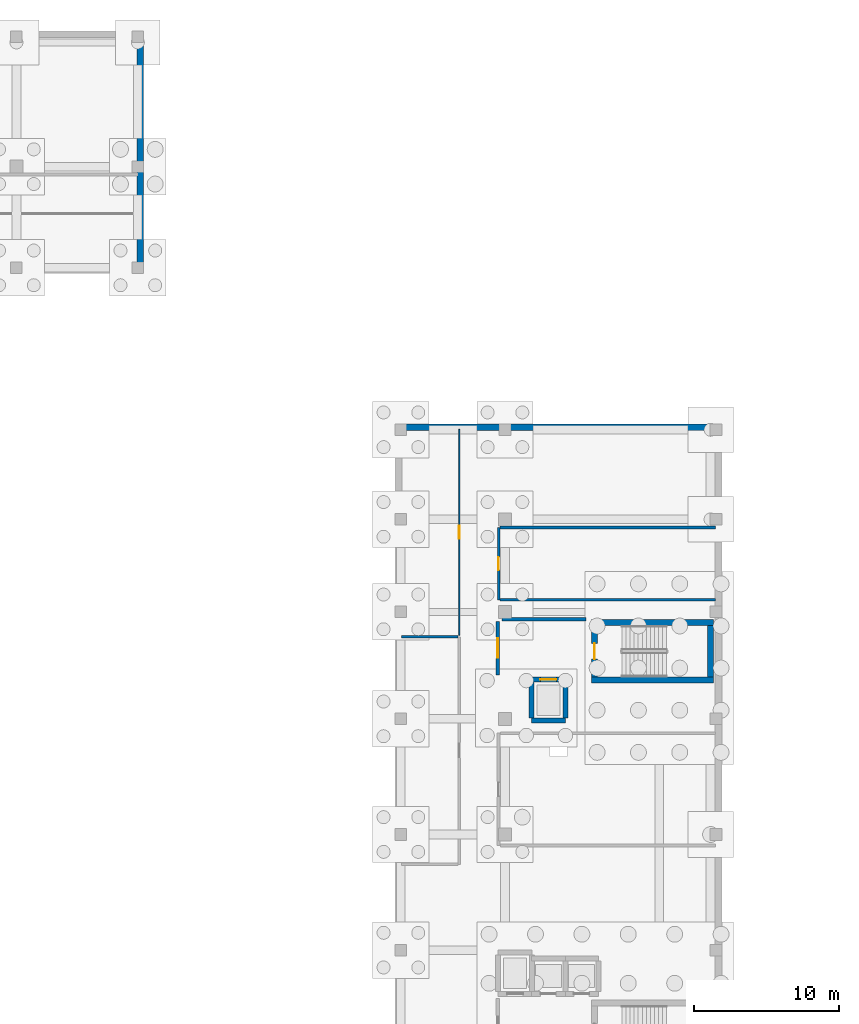
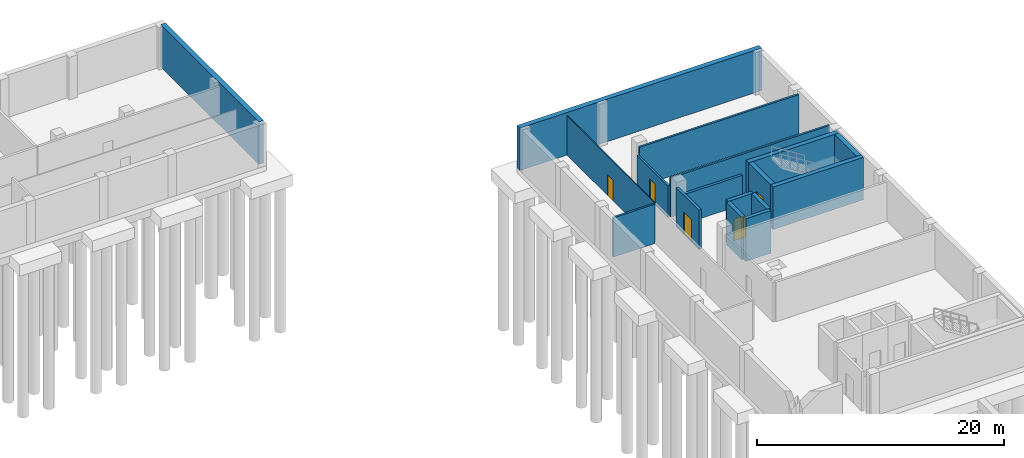
# One storey, part 22 of 31: 17 walls, 5 doors, 5 openings.
"""IFC4 building model written with IfcOpenShell, lengths in metres."""

from ifc_helpers import new_model, si_unit, direction, frame, frame_2d, origin, place, context, subcontext, project, spatial, rectangle, extrude, material, layer, layer_set, type_object, element, fill, save


model = new_model("IFC4")

# Units and contexts
model_context = context("Model", 3, precision=1e-05, world=origin(), true_north=direction((0.0, 1.0)))
body_context = subcontext(model_context, "Body", "Model", "MODEL_VIEW")
ifc_project = project(units=[si_unit("LENGTHUNIT", "METRE"), si_unit("AREAUNIT", "SQUARE_METRE"), si_unit("VOLUMEUNIT", "CUBIC_METRE"), si_unit("PLANEANGLEUNIT", "RADIAN"), si_unit("MASSUNIT", "GRAM", prefix="KILO")], contexts=[model_context])

# Site, building, storey
site_placement = place(None, origin())
site = spatial("IfcSite", under=ifc_project, at=site_placement, CompositionType="ELEMENT")
building_placement = place(site_placement, origin())
building = spatial("IfcBuilding", under=site, at=building_placement, Name="Qalavern Law Courts", CompositionType="ELEMENT")
storey_placement = place(building_placement, frame((0.0, 0.0, -8.39990234375)))
storey = spatial("IfcBuildingStorey", under=building, at=storey_placement, Name="B2", CompositionType="ELEMENT", Elevation=-8.39990234375)

# Walls
ifc_material_1 = material(Name="Concrete C35/45", Category="concrete")
ifc_layer_1 = layer(ifc_material_1, 0.4599609375)
ifc_layer_set_1 = layer_set([ifc_layer_1], Name="Concrete C35/45")
wall_type_1 = type_object("IfcWallType", Name="ENV-EW-RET460", PredefinedType="SOLIDWALL", material=ifc_layer_set_1)
wall_1_placement = place(storey_placement, frame((106.800048828125, 85.570068359375, 0.0), z_axis=(0.0, 0.0, 1.0), x_axis=(-1.0, 0.0, 0.0)))
element("IfcWall", 1, at=wall_1_placement, inside=storey, type_object=wall_type_1, Name="V4 basement retaining wall B2 north", PredefinedType="SOLIDWALL", context=body_context, shape_type="SweptSolid", body=[
    extrude(rectangle(XDim=22.60009765625, YDim=0.4599609375, at=frame_2d((11.300048828125, 0.0))), origin(), (0.0, 0.0, 1.0), 4.199951171875),
])
wall_2_placement = place(storey_placement, frame((66.570068359375, 96.655029296875, 0.0), z_axis=(0.0, 0.0, 1.0), x_axis=(0.0, 1.0, 0.0)))
element("IfcWall", 2, at=wall_2_placement, inside=storey, type_object=wall_type_1, Name="V5 basement retaining wall B2 east", PredefinedType="SOLIDWALL", context=body_context, shape_type="SweptSolid", body=[
    extrude(rectangle(XDim=15.889892578125, YDim=0.4599609375, at=frame_2d((7.94482421875, 0.0))), origin(), (0.0, 0.0, 1.0), 4.199951171875),
])
ifc_material_2 = material(Name="Concrete C45/55", Category="concrete")
ifc_layer_2 = layer(ifc_material_2, 0.4150390625)
ifc_layer_set_2 = layer_set([ifc_layer_2], Name="Concrete C45/55")
wall_type_2 = type_object("IfcWallType", Name="INT-CW-415", PredefinedType="SHEAR", material=ifc_layer_set_2)
wall_3_placement = place(storey_placement, frame((97.784912109375, 68.092529296875, 0.0), z_axis=(0.0, 0.0, 1.0), x_axis=(1.0, 0.0, 0.0)))
element("IfcWall", 3, at=wall_3_placement, inside=storey, type_object=wall_type_2, Name="Core K1B stair shear wall B2 south", PredefinedType="SHEAR", context=body_context, shape_type="SweptSolid", body=[
    extrude(rectangle(XDim=8.43017578125, YDim=0.4150390625, at=frame_2d((4.215087890625, 0.0))), origin(), (0.0, 0.0, 1.0), 4.199951171875),
])
wall_4_placement = place(storey_placement, frame((106.007568359375, 68.300048828125, 0.0), z_axis=(0.0, 0.0, 1.0), x_axis=(0.0, 1.0, 0.0)))
element("IfcWall", 4, at=wall_4_placement, inside=storey, type_object=wall_type_2, Name="Core K1B stair shear wall B2 east", PredefinedType="SHEAR", context=body_context, shape_type="SweptSolid", body=[
    extrude(rectangle(XDim=3.550048828125, YDim=0.4150390625, at=frame_2d((1.77490234375, 0.0))), origin(), (0.0, 0.0, 1.0), 4.199951171875),
])
wall_5_placement = place(storey_placement, frame((106.215087890625, 72.0576171875, 0.0), z_axis=(0.0, 0.0, 1.0), x_axis=(-1.0, 0.0, 0.0)))
element("IfcWall", 5, at=wall_5_placement, inside=storey, type_object=wall_type_2, Name="Core K1B stair shear wall B2 north", PredefinedType="SHEAR", context=body_context, shape_type="SweptSolid", body=[
    extrude(rectangle(XDim=8.43017578125, YDim=0.4150390625, at=frame_2d((4.215087890625, 0.0))), origin(), (0.0, 0.0, 1.0), 4.199951171875),
])

# Wall, opening, door
wall_6_placement = place(storey_placement, frame((97.992431640625, 71.85009765625, 0.0), z_axis=(0.0, 0.0, 1.0), x_axis=(0.0, -1.0, 0.0)))
wall_6 = element("IfcWall", 6, at=wall_6_placement, inside=storey, type_object=wall_type_2, Name="Core K1B stair shear wall B2 west", PredefinedType="SHEAR", context=body_context, shape_type="SweptSolid", body=[
    extrude(rectangle(XDim=3.550048828125, YDim=0.4150390625, at=frame_2d((1.77490234375, 0.0))), origin(), (0.0, 0.0, 1.0), 4.199951171875),
])
opening_1_placement = place(wall_6_placement, frame((1.22509765625, 0.0, 0.0)))
opening_1 = element("IfcOpeningElement", 7, at=opening_1_placement, cuts=wall_6, Name="Opening B2-D025", PredefinedType="OPENING", context=body_context, shape_type="SweptSolid", body=[
    extrude(rectangle(XDim=1.10009765625, YDim=2.14990234375, at=frame_2d((0.550048828125, 1.074951171875))), frame((0.0, 0.222412109375, 0.0), z_axis=(0.0, -1.0, 0.0), x_axis=(1.0, 0.0, 0.0)), (0.0, 0.0, 1.0), 0.44482421875),
])
ifc_material_3 = material(Name="Steel fire-rated stair enclosure door", Category="steel")
door_type_1 = type_object("IfcDoorType", Name="INT-FD-1100x2150", OperationType="NOTDEFINED", PredefinedType="DOOR", material=ifc_material_3)
door_1_placement = place(opening_1_placement, frame((1.10009765625, 0.0, 0.0), z_axis=(0.0, 0.0, 1.0), x_axis=(-1.0, 0.0, 0.0)))
door_1 = element("IfcDoor", 8, at=door_1_placement, inside=storey, type_object=door_type_1, Name="Stair K1B fire door B2", OperationType="SINGLE_SWING_LEFT", OverallHeight=2.14990234375, OverallWidth=1.10009765625, PredefinedType="DOOR", context=body_context, shape_type="SweptSolid", body=[
    extrude(rectangle(XDim=1.10009765625, YDim=2.14990234375, at=frame_2d((0.550048828125, 1.074951171875))), frame((0.0, 0.02490234375, 0.0), z_axis=(0.0, -1.0, 0.0), x_axis=(1.0, 0.0, 0.0)), (0.0, 0.0, 1.0), 0.050048828125),
])
fill(opening_1, door_1)

ifc_material_4 = material(Name="Concrete C40/50", Category="concrete")
ifc_layer_3 = layer(ifc_material_4, 0.2451171875)
ifc_layer_set_3 = layer_set([ifc_layer_3], Name="Concrete C40/50")
wall_type_3 = type_object("IfcWallType", Name="INT-FW-245", PredefinedType="PARTITIONING", material=ifc_layer_set_3)
wall_7_placement = place(storey_placement, frame((91.300048828125, 68.449951171875, 0.0), z_axis=(0.0, 0.0, 1.0), x_axis=(0.0, 1.0, 0.0)))
wall_7 = element("IfcWall", 9, at=wall_7_placement, inside=storey, type_object=wall_type_3, Name="Core K1B firefighting/stair lobby fire wall B2", PredefinedType="PARTITIONING", context=body_context, shape_type="SweptSolid", body=[
    extrude(rectangle(XDim=3.699951171875, YDim=0.2451171875, at=frame_2d((1.85009765625, 0.0))), origin(), (0.0, 0.0, 1.0), 3.8798828125),
])
opening_2_placement = place(wall_7_placement, frame((1.175048828125, 0.0, 0.0)))
opening_2 = element("IfcOpeningElement", 10, at=opening_2_placement, cuts=wall_7, Name="Opening B2-D026", PredefinedType="OPENING", context=body_context, shape_type="SweptSolid", body=[
    extrude(rectangle(XDim=1.35009765625, YDim=2.199951171875, at=frame_2d((0.675048828125, 1.10009765625))), frame((0.0, 0.137451171875, 0.0), z_axis=(0.0, -1.0, 0.0), x_axis=(1.0, 0.0, 0.0)), (0.0, 0.0, 1.0), 0.27490234375),
])
ifc_material_5 = material(Name="Steel fire-rated frame and acoustic timber leaves", Category="steel")
door_type_2 = type_object("IfcDoorType", Name="INT-FD-1350x2200", OperationType="DOUBLE_DOOR_SINGLE_SWING", PredefinedType="DOOR", material=ifc_material_5)
door_2_placement = place(opening_2_placement, origin())
door_2 = element("IfcDoor", 11, at=door_2_placement, inside=storey, type_object=door_type_2, Name="Core K1B lobby fire door B2", OperationType="DOUBLE_DOOR_SINGLE_SWING", OverallHeight=2.199951171875, OverallWidth=1.35009765625, PredefinedType="DOOR", context=body_context, shape_type="SweptSolid", body=[
    extrude(rectangle(XDim=1.35009765625, YDim=2.199951171875, at=frame_2d((0.675048828125, 1.10009765625))), frame((0.0, 0.02490234375, 0.0), z_axis=(0.0, -1.0, 0.0), x_axis=(1.0, 0.0, 0.0)), (0.0, 0.0, 1.0), 0.050048828125),
])
fill(opening_2, door_2)

# Wall
wall_8_placement = place(storey_placement, frame((91.60009765625, 72.300048828125, 0.0), z_axis=(0.0, 0.0, 1.0), x_axis=(1.0, 0.0, 0.0)))
element("IfcWall", 12, at=wall_8_placement, inside=storey, type_object=wall_type_3, Name="Core K1B lobby return wall B2 north", PredefinedType="PARTITIONING", context=body_context, shape_type="SweptSolid", body=[
    extrude(rectangle(XDim=5.7998046875, YDim=0.2451171875, at=frame_2d((2.89990234375, 0.0))), origin(), (0.0, 0.0, 1.0), 2.909912109375),
])

# Wall, opening, door
ifc_material_6 = material(Name="Gypsum shaft/chase partition")
ifc_layer_4 = layer(ifc_material_6, 0.092041015625)
ifc_layer_set_4 = layer_set([ifc_layer_4], Name="Gypsum shaft/chase partition")
wall_type_4 = type_object("IfcWallType", Name="INT-PW-092", PredefinedType="PARTITIONING", material=ifc_layer_set_4)
wall_9_placement = place(storey_placement, frame((88.639892578125, 71.198974609375, 0.0), z_axis=(0.0, 0.0, 1.0), x_axis=(0.0, 1.0, 0.0)))
wall_9 = element("IfcWall", 13, at=wall_9_placement, inside=storey, type_object=wall_type_4, Name="Electrical Switchroom corridor partition B2", PredefinedType="PARTITIONING", context=body_context, shape_type="SweptSolid", body=[
    extrude(rectangle(XDim=14.220947265625, YDim=0.092041015625, at=frame_2d((7.1103515625, 0.0))), origin(), (0.0, 0.0, 1.0), 3.8798828125),
])
opening_3_placement = place(wall_9_placement, frame((6.655517578125, 0.0, 0.0)))
opening_3 = element("IfcOpeningElement", 14, at=opening_3_placement, cuts=wall_9, Name="Opening B2-D251", PredefinedType="OPENING", context=body_context, shape_type="SweptSolid", body=[
    extrude(rectangle(XDim=0.909912109375, YDim=2.0400390625, at=frame_2d((0.455078125, 1.02001953125))), frame((0.0, 0.06103515625, 0.0), z_axis=(0.0, -1.0, 0.0), x_axis=(1.0, 0.0, 0.0)), (0.0, 0.0, 1.0), 0.121826171875),
])
ifc_material_7 = material(Name="Steel MEP Plant Room door", Category="steel")
door_type_3 = type_object("IfcDoorType", Name="INT-ID-910x2040", OperationType="NOTDEFINED", PredefinedType="DOOR", material=ifc_material_7)
door_3_placement = place(opening_3_placement, frame((0.909912109375, 0.0, 0.0), z_axis=(0.0, 0.0, 1.0), x_axis=(-1.0, 0.0, 0.0)))
door_3 = element("IfcDoor", 15, at=door_3_placement, inside=storey, type_object=door_type_3, Name="Electrical Switchroom door B2", OperationType="SINGLE_SWING_RIGHT", OverallHeight=2.0400390625, OverallWidth=0.909912109375, PredefinedType="DOOR", context=body_context, shape_type="SweptSolid", body=[
    extrude(rectangle(XDim=0.909912109375, YDim=2.0400390625, at=frame_2d((0.455078125, 1.02001953125))), frame((0.0, 0.02490234375, 0.0), z_axis=(0.0, -1.0, 0.0), x_axis=(1.0, 0.0, 0.0)), (0.0, 0.0, 1.0), 0.050048828125),
])
fill(opening_3, door_3)

# Wall
ifc_material_8 = material(Name="Gypsum acoustic stud partition")
ifc_layer_5 = layer(ifc_material_8, 0.174072265625)
ifc_layer_set_5 = layer_set([ifc_layer_5], Name="Gypsum acoustic stud partition")
wall_type_5 = type_object("IfcWallType", Name="INT-PW-174", PredefinedType="PARTITIONING", material=ifc_layer_set_5)
wall_10_placement = place(storey_placement, frame((84.639892578125, 71.0791015625, 0.0), z_axis=(0.0, 0.0, 1.0), x_axis=(1.0, 0.0, 0.0)))
element("IfcWall", 16, at=wall_10_placement, inside=storey, type_object=wall_type_5, Name="Civil Court Archive Stacks cross partition B2 north", PredefinedType="PARTITIONING", context=body_context, shape_type="SweptSolid", body=[
    extrude(rectangle(XDim=3.89306640625, YDim=0.174072265625, at=frame_2d((1.946533203125, 0.0))), origin(), (0.0, 0.0, 1.0), 3.8798828125),
])

# Wall, opening, door
ifc_layer_6 = layer(ifc_material_8, 0.18603515625)
ifc_layer_set_6 = layer_set([ifc_layer_6], Name="Gypsum acoustic stud partition")
wall_type_6 = type_object("IfcWallType", Name="INT-PW-186", PredefinedType="PARTITIONING", material=ifc_layer_set_6)
wall_11_placement = place(storey_placement, frame((91.360107421875, 73.639892578125, 0.0), z_axis=(0.0, 0.0, 1.0), x_axis=(0.0, 1.0, 0.0)))
wall_11 = element("IfcWall", 17, at=wall_11_placement, inside=storey, type_object=wall_type_6, Name="Electrical Switchroom corridor partition B2", PredefinedType="PARTITIONING", context=body_context, shape_type="SweptSolid", body=[
    extrude(rectangle(XDim=5.005126953125, YDim=0.18603515625, at=frame_2d((2.50244140625, 0.0))), origin(), (0.0, 0.0, 1.0), 3.10986328125),
])
opening_4_placement = place(wall_11_placement, frame((2.047607421875, 0.0, 0.0)))
opening_4 = element("IfcOpeningElement", 18, at=opening_4_placement, cuts=wall_11, Name="Opening B2-D253", PredefinedType="OPENING", context=body_context, shape_type="SweptSolid", body=[
    extrude(rectangle(XDim=0.909912109375, YDim=2.0400390625, at=frame_2d((0.455078125, 1.02001953125))), frame((0.0, 0.10791015625, 0.0), z_axis=(0.0, -1.0, 0.0), x_axis=(1.0, 0.0, 0.0)), (0.0, 0.0, 1.0), 0.2158203125),
])
door_4_placement = place(opening_4_placement, origin())
door_4 = element("IfcDoor", 19, at=door_4_placement, inside=storey, type_object=door_type_3, Name="Electrical Switchroom door B2", OperationType="SINGLE_SWING_RIGHT", OverallHeight=2.0400390625, OverallWidth=0.909912109375, PredefinedType="DOOR", context=body_context, shape_type="SweptSolid", body=[
    extrude(rectangle(XDim=0.909912109375, YDim=2.0400390625, at=frame_2d((0.455078125, 1.02001953125))), frame((0.0, 0.02490234375, 0.0), z_axis=(0.0, -1.0, 0.0), x_axis=(1.0, 0.0, 0.0)), (0.0, 0.0, 1.0), 0.050048828125),
])
fill(opening_4, door_4)

# Walls
for number, where, z_axis, x_axis, name in (
    (20, (91.472900390625, 73.639892578125, 0.0), (0.0, 0.0, 1.0), (1.0, 0.0, 0.0), "Electrical Switchroom cross partition B2 south"),
    (21, (91.472900390625, 78.64501953125, 0.0), (0.0, 0.0, 1.0), (1.0, 0.0, 0.0), "Electrical Switchroom cross partition B2 north"),
):
    element("IfcWall", number, at=place(storey_placement, frame(where, z_axis=z_axis, x_axis=x_axis)), inside=storey, type_object=wall_type_6, Name=name, PredefinedType="PARTITIONING", context=body_context, shape_type="SweptSolid", body=[
        extrude(rectangle(XDim=14.88720703125, YDim=0.18603515625, at=frame_2d((7.443603515625, 0.0))), origin(), (0.0, 0.0, 1.0), 3.8798828125),
    ])
ifc_layer_7 = layer(ifc_material_2, 0.344970703125)
ifc_layer_set_7 = layer_set([ifc_layer_7], Name="Concrete C45/55")
wall_type_7 = type_object("IfcWallType", Name="INT-SW-345", PredefinedType="SHEAR", material=ifc_layer_set_7)
wall_12_placement = place(storey_placement, frame((93.62744140625, 65.277587890625, 0.0), z_axis=(0.0, 0.0, 1.0), x_axis=(1.0, 0.0, 0.0)))
element("IfcWall", 22, at=wall_12_placement, inside=storey, type_object=wall_type_7, Name="Lift LF-FF2 shaft wall B2 south", PredefinedType="SHEAR", context=body_context, shape_type="SweptSolid", body=[
    extrude(rectangle(XDim=2.344970703125, YDim=0.344970703125, at=frame_2d((1.17236328125, 0.0))), origin(), (0.0, 0.0, 1.0), 4.199951171875),
])
wall_13_placement = place(storey_placement, frame((95.972412109375, 65.449951171875, 0.0), z_axis=(0.0, 0.0, 1.0), x_axis=(0.0, 1.0, 0.0)))
element("IfcWall", 23, at=wall_13_placement, inside=storey, type_object=wall_type_7, Name="Lift LF-FF2 shaft wall B2 east", PredefinedType="SHEAR", context=body_context, shape_type="SweptSolid", body=[
    extrude(rectangle(XDim=2.5, YDim=0.344970703125, at=frame_2d((1.25, 0.0))), origin(), (0.0, 0.0, 1.0), 4.199951171875),
])

# Wall, opening, door
wall_14_placement = place(storey_placement, frame((95.972412109375, 68.12255859375, 0.0), z_axis=(0.0, 0.0, 1.0), x_axis=(-1.0, 0.0, 0.0)))
wall_14 = element("IfcWall", 24, at=wall_14_placement, inside=storey, type_object=wall_type_7, Name="Lift LF-FF2 shaft wall B2 north", PredefinedType="SHEAR", context=body_context, shape_type="SweptSolid", body=[
    extrude(rectangle(XDim=2.344970703125, YDim=0.344970703125, at=frame_2d((1.17236328125, 0.0))), origin(), (0.0, 0.0, 1.0), 4.199951171875),
])
opening_5_placement = place(wall_14_placement, frame((0.62255859375, 0.0, 0.0)))
opening_5 = element("IfcOpeningElement", 25, at=opening_5_placement, cuts=wall_14, Name="Opening LD-LF-FF2-B2", PredefinedType="OPENING", context=body_context, shape_type="SweptSolid", body=[
    extrude(rectangle(XDim=1.10009765625, YDim=2.159912109375, at=frame_2d((0.550048828125, 1.080078125))), frame((0.0, 0.1875, 0.0), z_axis=(0.0, -1.0, 0.0), x_axis=(1.0, 0.0, 0.0)), (0.0, 0.0, 1.0), 0.374755859375),
])
ifc_material_9 = material(Name="Stainless steel firefighting lift sliding landing door", Category="steel")
door_type_4 = type_object("IfcDoorType", Name="INT-LD-1100x2160", OperationType="DOUBLE_DOOR_SLIDING", PredefinedType="DOOR", material=ifc_material_9)
door_5_placement = place(opening_5_placement, origin())
door_5 = element("IfcDoor", 26, at=door_5_placement, inside=storey, type_object=door_type_4, Name="Lift LF-FF2 sliding landing door B2", OperationType="DOUBLE_DOOR_SLIDING", OverallHeight=2.159912109375, OverallWidth=1.10009765625, PredefinedType="DOOR", context=body_context, shape_type="SweptSolid", body=[
    extrude(rectangle(XDim=1.10009765625, YDim=2.159912109375, at=frame_2d((0.550048828125, 1.080078125))), frame((0.0, 0.02490234375, 0.0), z_axis=(0.0, -1.0, 0.0), x_axis=(1.0, 0.0, 0.0)), (0.0, 0.0, 1.0), 0.050048828125),
])
fill(opening_5, door_5)

# Wall
wall_15_placement = place(storey_placement, frame((93.62744140625, 67.949951171875, 0.0), z_axis=(0.0, 0.0, 1.0), x_axis=(0.0, -1.0, 0.0)))
element("IfcWall", 27, at=wall_15_placement, inside=storey, type_object=wall_type_7, Name="Lift LF-FF2 shaft wall B2 west", PredefinedType="SHEAR", context=body_context, shape_type="SweptSolid", body=[
    extrude(rectangle(XDim=2.5, YDim=0.344970703125, at=frame_2d((1.25, 0.0))), origin(), (0.0, 0.0, 1.0), 4.199951171875),
])

save(model, "model.ifc")
